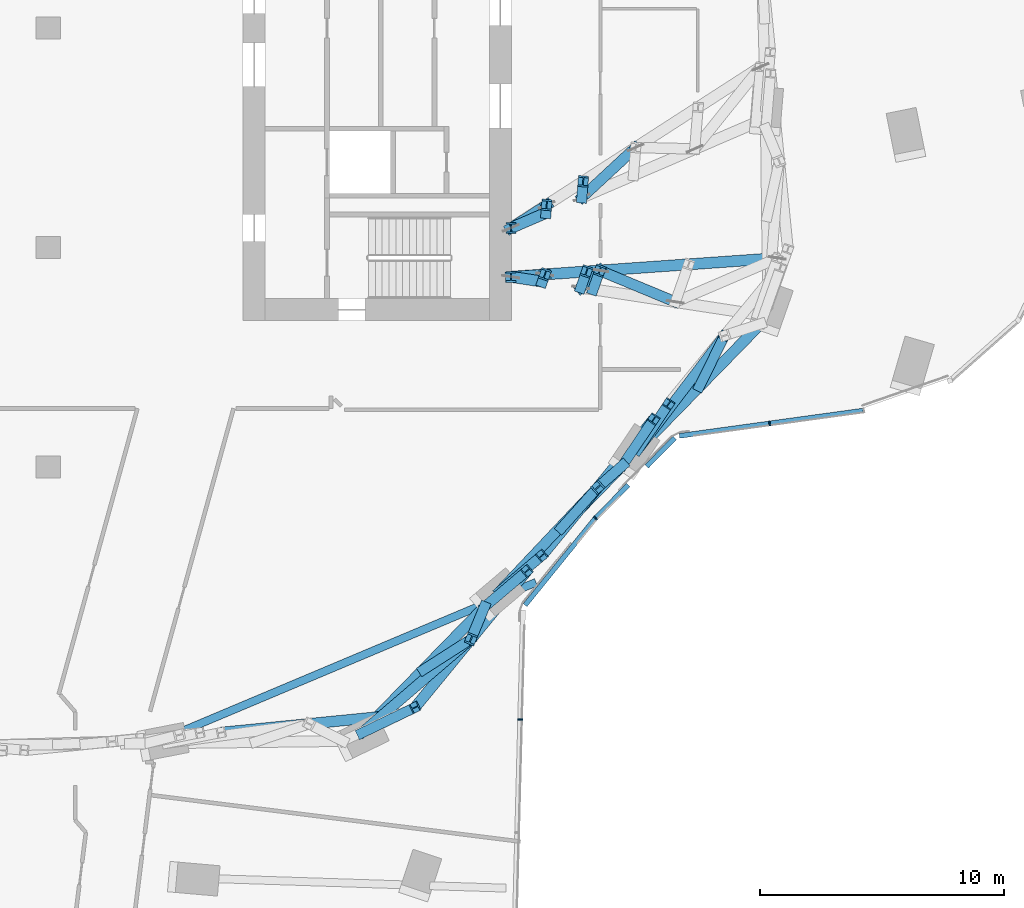
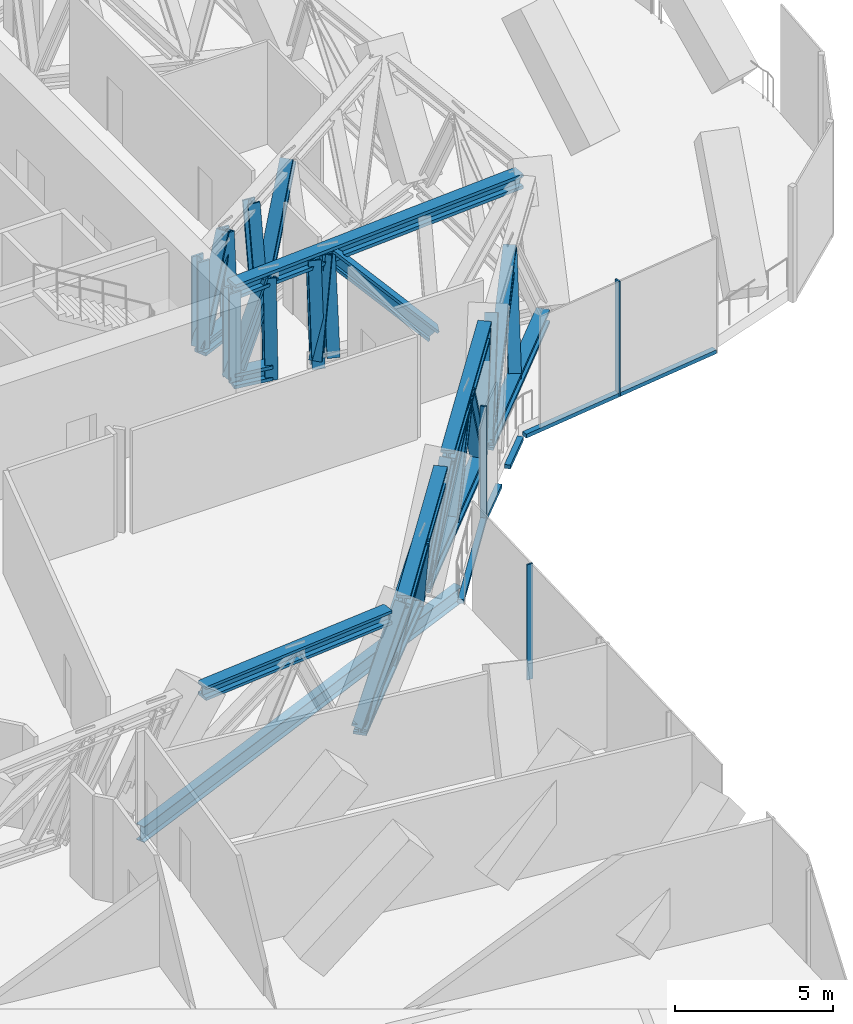
# One storey, part 7 of 27: 41 members, 1 beam, 4 elements without a shape of their own.
"""IFC4 building model written with IfcOpenShell, lengths in metres."""

from ifc_helpers import new_model, si_unit, direction, frame, origin, origin_2d, place, context, subcontext, project, spatial, rectangle, i_section, extrude, material, material_profile, profile_set, type_object, element, aggregate, save


model = new_model("IFC4")

# Units and contexts
model_context = context("Model", 3, precision=1e-05, world=origin(), true_north=direction((0.0, 1.0)))
body_context = subcontext(model_context, "Body", "Model", "MODEL_VIEW")
ifc_project = project(units=[si_unit("LENGTHUNIT", "METRE"), si_unit("AREAUNIT", "SQUARE_METRE"), si_unit("VOLUMEUNIT", "CUBIC_METRE"), si_unit("PLANEANGLEUNIT", "RADIAN"), si_unit("MASSUNIT", "GRAM", prefix="KILO")], contexts=[model_context])

# Site, building, storey
site_placement = place(None, origin())
site = spatial("IfcSite", under=ifc_project, at=site_placement, CompositionType="ELEMENT")
building_placement = place(site_placement, origin())
building = spatial("IfcBuilding", under=site, at=building_placement, Name="Orlundy Tower", CompositionType="ELEMENT")
storey_placement = place(building_placement, frame((0.0, 0.0, 206.10009765625)))
storey = spatial("IfcBuildingStorey", under=building, at=storey_placement, Name="L54", CompositionType="ELEMENT", Elevation=206.10009765625)

# Members
ifc_material_1 = material(Name="Steel ASTM A992 Gr 50", Category="steel")
ifc_material_profile_1 = material_profile(ifc_material_1, i_section(OverallWidth=0.4423828125, OverallDepth=0.531494140625, WebThickness=0.06591796875, FlangeThickness=0.105712890625, at=origin_2d()), Name="W14X605")
ifc_profile_set_1 = profile_set([ifc_material_profile_1], Name="Steel ASTM A992 Gr 50")
member_type_1 = type_object("IfcMemberType", Name="BELT TRUSS chord W14X605", PredefinedType="CHORD", material=ifc_profile_set_1)
for number, where, z_axis, x_axis, name in (
    (1, (7.099365234375, -28.89697265625, 3.715087890625), (0.995132202432, 0.098548970989, 0.0), (-0.098548970989, 0.995132202432, 0.0), "Belt truss top chord BT-07"),
    (2, (12.837890625, -28.927734375, 0.28466796875), (0.698422855379, 0.715685346422, 0.0), (-0.715685346422, 0.698422855379, 0.0), "Belt truss bottom chord BT-08"),
    (3, (15.04833984375, -27.864990234375, 3.715087890625), (0.63402878306, 0.773309447926, 0.0), (-0.773309447926, 0.63402878306, 0.0), "Belt truss top chord BT-08"),
    (4, (18.50634765625, -23.119140625, 0.28466796875), (0.698406002715, 0.71570179221, 0.0), (-0.71570179221, 0.698406002715, 0.0), "Belt truss bottom chord BT-09"),
):
    element("IfcMember", number, at=place(storey_placement, frame(where, z_axis=z_axis, x_axis=x_axis)), inside=storey, type_object=member_type_1, Name=name, PredefinedType="CHORD", context=body_context, shape_type="SweptSolid", body=[
        extrude(i_section(OverallWidth=0.4423828125, OverallDepth=0.531494140625, WebThickness=0.06591796875, FlangeThickness=0.105712890625, at=origin_2d()), origin(), (0.0, 0.0, 1.0), 7.2412109375),
    ])
member_1_placement = place(storey_placement, frame((20.25048828125, -21.639404296875, 3.715087890625), z_axis=(0.63402314738, 0.77331406853, 0.0), x_axis=(-0.77331406853, 0.63402314738, 0.0)))
element("IfcMember", 5, at=member_1_placement, inside=storey, type_object=member_type_1, Name="Belt truss top chord BT-09", PredefinedType="CHORD", context=body_context, shape_type="SweptSolid", body=[
    extrude(i_section(OverallWidth=0.4423828125, OverallDepth=0.531494140625, WebThickness=0.06591796875, FlangeThickness=0.105712890625, at=origin_2d()), origin(), (0.0, 0.0, 1.0), 7.242431640625),
])
member_2_placement = place(storey_placement, frame((24.1748046875, -17.310302734375, 0.28466796875), z_axis=(0.698405585349, 0.715702199489, 0.0), x_axis=(-0.715702199489, 0.698405585349, 0.0)))
element("IfcMember", 6, at=member_2_placement, inside=storey, type_object=member_type_1, Name="Belt truss bottom chord BT-10", PredefinedType="CHORD", context=body_context, shape_type="SweptSolid", body=[
    extrude(i_section(OverallWidth=0.4423828125, OverallDepth=0.531494140625, WebThickness=0.06591796875, FlangeThickness=0.105712890625, at=origin_2d()), origin(), (0.0, 0.0, 1.0), 7.240966796875),
])
ifc_material_2 = material(Name="Steel ASTM A992 Gr 50", Category="steel")
ifc_material_profile_2 = material_profile(ifc_material_2, i_section(OverallWidth=0.42431640625, OverallDepth=0.47412109375, WebThickness=0.0478515625, FlangeThickness=0.0771484375, at=origin_2d()), Name="W14X426")
ifc_profile_set_2 = profile_set([ifc_material_profile_2], Name="Steel ASTM A992 Gr 50")
member_type_2 = type_object("IfcMemberType", Name="BELT TRUSS diagonal W14X426", PredefinedType="BRACE", material=ifc_profile_set_2)
member_3_placement = place(storey_placement, frame((12.837890625, -28.927734375, 0.28466796875), z_axis=(0.65731823855, 0.563471600135, 0.500432302225), x_axis=(-0.650828637964, 0.759224659772, 0.0)))
element("IfcMember", 7, at=member_3_placement, inside=storey, type_object=member_type_2, Name="Belt truss diagonal BT-08-0", PredefinedType="BRACE", context=body_context, shape_type="SweptSolid", body=[
    extrude(i_section(OverallWidth=0.42431640625, OverallDepth=0.47412109375, WebThickness=0.0478515625, FlangeThickness=0.0771484375, at=origin_2d()), origin(), (0.0, 0.0, 1.0), 6.85498046875),
])
member_4_placement = place(storey_placement, frame((17.34375, -25.065185546875, 3.715087890625), z_axis=(0.148387862309, 0.355106145925, -0.922973817313), x_axis=(-0.922682567902, 0.385560473713, 0.0)))
element("IfcMember", 8, at=member_4_placement, inside=storey, type_object=member_type_2, Name="Belt truss diagonal BT-08-1", PredefinedType="BRACE", context=body_context, shape_type="SweptSolid", body=[
    extrude(i_section(OverallWidth=0.42431640625, OverallDepth=0.47412109375, WebThickness=0.0478515625, FlangeThickness=0.0771484375, at=origin_2d()), origin(), (0.0, 0.0, 1.0), 3.716796875),
])
member_5_placement = place(storey_placement, frame((18.50634765625, -23.119140625, 0.28466796875), z_axis=(0.593044815009, 0.628273425908, 0.503557692512), x_axis=(-0.727200635085, 0.686424967736, 0.0)))
element("IfcMember", 9, at=member_5_placement, inside=storey, type_object=member_type_2, Name="Belt truss diagonal BT-09-0", PredefinedType="BRACE", context=body_context, shape_type="SweptSolid", body=[
    extrude(i_section(OverallWidth=0.42431640625, OverallDepth=0.47412109375, WebThickness=0.0478515625, FlangeThickness=0.0771484375, at=origin_2d()), origin(), (0.0, 0.0, 1.0), 6.812255859375),
])
member_6_placement = place(storey_placement, frame((22.54638671875, -18.839111328125, 3.715087890625), z_axis=(0.275686962938, 0.244591961118, -0.929608235238), x_axis=(-0.663661585946, 0.748032953378, 0.0)))
element("IfcMember", 10, at=member_6_placement, inside=storey, type_object=member_type_2, Name="Belt truss diagonal BT-09-1", PredefinedType="BRACE", context=body_context, shape_type="SweptSolid", body=[
    extrude(i_section(OverallWidth=0.42431640625, OverallDepth=0.47412109375, WebThickness=0.0478515625, FlangeThickness=0.0771484375, at=origin_2d()), origin(), (0.0, 0.0, 1.0), 3.690185546875),
])
member_7_placement = place(storey_placement, frame((24.1748046875, -17.310302734375, 0.28466796875), z_axis=(0.523507310878, 0.688080071631, 0.502479761265), x_axis=(-0.795846459264, 0.605498483299, 0.0)))
element("IfcMember", 11, at=member_7_placement, inside=storey, type_object=member_type_2, Name="Belt truss diagonal BT-10-0", PredefinedType="BRACE", context=body_context, shape_type="SweptSolid", body=[
    extrude(i_section(OverallWidth=0.42431640625, OverallDepth=0.47412109375, WebThickness=0.0478515625, FlangeThickness=0.0771484375, at=origin_2d()), origin(), (0.0, 0.0, 1.0), 6.826904296875),
])
ifc_material_3 = material(Name="Steel ASTM A992 Gr 50", Category="steel")
ifc_material_profile_3 = material_profile(ifc_material_3, i_section(OverallWidth=0.412109375, OverallDepth=0.434814453125, WebThickness=0.035888671875, FlangeThickness=0.057373046875, at=origin_2d()), Name="W14X311")
ifc_profile_set_3 = profile_set([ifc_material_profile_3], Name="Steel ASTM A992 Gr 50")
member_type_3 = type_object("IfcMemberType", Name="BELT TRUSS post W14X311", PredefinedType="POST", material=ifc_profile_set_3)
member_8_placement = place(storey_placement, frame((12.837890625, -28.927734375, 0.28466796875), z_axis=(0.52417278187, 0.252012825213, 0.813469379064), x_axis=(-0.433303764049, 0.901247939283, 0.0)))
element("IfcMember", 12, at=member_8_placement, inside=storey, type_object=member_type_3, Name="Belt truss post BT-08-0", PredefinedType="POST", context=body_context, shape_type="SweptSolid", body=[
    extrude(i_section(OverallWidth=0.412109375, OverallDepth=0.434814453125, WebThickness=0.035888671875, FlangeThickness=0.057373046875, at=origin_2d()), origin(), (0.0, 0.0, 1.0), 4.217041015625),
])
member_9_placement = place(storey_placement, frame((15.36669921875, -26.33642578125, 0.28466796875), z_axis=(0.47543171496, 0.305701770782, 0.824930973931), x_axis=(-0.540841583098, 0.841124474731, 0.0)))
element("IfcMember", 13, at=member_9_placement, inside=storey, type_object=member_type_3, Name="Belt truss post BT-08-1", PredefinedType="POST", context=body_context, shape_type="SweptSolid", body=[
    extrude(i_section(OverallWidth=0.412109375, OverallDepth=0.434814453125, WebThickness=0.035888671875, FlangeThickness=0.057373046875, at=origin_2d()), origin(), (0.0, 0.0, 1.0), 4.158447265625),
])
for number, where, z_axis, x_axis, name in (
    (14, (17.895263671875, -23.745361328125, 0.28466796875), (0.423014376023, 0.358946409218, 0.831995380389), (-0.647003774428, 0.762486797181, 0.0), "Belt truss post BT-08-2"),
    (15, (18.50634765625, -23.119140625, 0.28466796875), (0.42302336637, 0.358894824127, 0.83201306283), (-0.646941716035, 0.762539452129, 0.0), "Belt truss post BT-09-0"),
):
    element("IfcMember", number, at=place(storey_placement, frame(where, z_axis=z_axis, x_axis=x_axis)), inside=storey, type_object=member_type_3, Name=name, PredefinedType="POST", context=body_context, shape_type="SweptSolid", body=[
        extrude(i_section(OverallWidth=0.412109375, OverallDepth=0.434814453125, WebThickness=0.035888671875, FlangeThickness=0.057373046875, at=origin_2d()), origin(), (0.0, 0.0, 1.0), 4.123046875),
    ])
member_10_placement = place(storey_placement, frame((21.034912109375, -20.52783203125, 0.28466796875), z_axis=(0.367624672192, 0.410734914804, 0.834355397991), x_axis=(-0.745128606747, 0.666920804449, 0.0)))
element("IfcMember", 16, at=member_10_placement, inside=storey, type_object=member_type_3, Name="Belt truss post BT-09-1", PredefinedType="POST", context=body_context, shape_type="SweptSolid", body=[
    extrude(i_section(OverallWidth=0.412109375, OverallDepth=0.434814453125, WebThickness=0.035888671875, FlangeThickness=0.057373046875, at=origin_2d()), origin(), (0.0, 0.0, 1.0), 4.111572265625),
])
for number, where, z_axis, x_axis, name in (
    (17, (23.563720703125, -17.9365234375, 0.28466796875), (0.310062845352, 0.460209756906, 0.831906251678), (-0.829331991672, 0.55875616112, 0.0), "Belt truss post BT-09-2"),
    (18, (24.1748046875, -17.310302734375, 0.28466796875), (0.310062845352, 0.460209756906, 0.831906251678), (-0.829331991672, 0.55875616112, 0.0), "Belt truss post BT-10-0"),
):
    element("IfcMember", number, at=place(storey_placement, frame(where, z_axis=z_axis, x_axis=x_axis)), inside=storey, type_object=member_type_3, Name=name, PredefinedType="POST", context=body_context, shape_type="SweptSolid", body=[
        extrude(i_section(OverallWidth=0.412109375, OverallDepth=0.434814453125, WebThickness=0.035888671875, FlangeThickness=0.057373046875, at=origin_2d()), origin(), (0.0, 0.0, 1.0), 4.12353515625),
    ])
member_11_placement = place(storey_placement, frame((26.703369140625, -14.71923828125, 0.28466796875), z_axis=(0.251357351698, 0.50647156246, 0.824806667145), x_axis=(-0.895752128099, 0.444553849388, 0.0)))
element("IfcMember", 19, at=member_11_placement, inside=storey, type_object=member_type_3, Name="Belt truss post BT-10-1", PredefinedType="POST", context=body_context, shape_type="SweptSolid", body=[
    extrude(i_section(OverallWidth=0.412109375, OverallDepth=0.434814453125, WebThickness=0.035888671875, FlangeThickness=0.057373046875, at=origin_2d()), origin(), (0.0, 0.0, 1.0), 4.1591796875),
])

# Beam
ifc_material_4 = material(Name="Steel ASTM A992 Gr 50", Category="steel")
ifc_material_profile_4 = material_profile(ifc_material_4, i_section(OverallWidth=0.32373046875, OverallDepth=0.611083984375, WebThickness=0.0126953125, FlangeThickness=0.01904296875, at=origin_2d()), Name="W24X104")
ifc_profile_set_4 = profile_set([ifc_material_profile_4], Name="Steel ASTM A992 Gr 50")
beam_type = type_object("IfcBeamType", Name="CANTILEVER GIRDER beam W24X104", PredefinedType="BEAM", material=ifc_profile_set_4)
beam_placement = place(storey_placement, frame((20.01220703125, -22.7314453125, -0.755615234375), z_axis=(-0.921648904078, -0.388024867259, 0.0), x_axis=(0.388024867259, -0.921648904078, 0.0)))
element("IfcBeam", 20, at=beam_placement, inside=storey, type_object=beam_type, Name="Cantilever girder C-H09 L54", PredefinedType="BEAM", context=body_context, shape_type="SweptSolid", body=[
    extrude(i_section(OverallWidth=0.32373046875, OverallDepth=0.611083984375, WebThickness=0.0126953125, FlangeThickness=0.01904296875, at=origin_2d()), origin(), (0.0, 0.0, 1.0), 16.643798828125),
])

# Curtain wall, member
ifc_material_5 = material(Name="Aluminium bronze anodised", Category="aluminium")
curtain_wall_type = type_object("IfcCurtainWallType", Name="CW4 wall", PredefinedType="NOTDEFINED", material=ifc_material_5)
curtain_wall_1_placement = place(storey_placement, origin())
curtain_wall_1 = element("IfcCurtainWall", 21, at=curtain_wall_1_placement, inside=storey, type_object=curtain_wall_type, Name="CW4 run 029", PredefinedType="NOTDEFINED")
ifc_material_6 = material(Name="Aluminium bronze anodised", Category="aluminium")
ifc_material_profile_5 = material_profile(ifc_material_6, rectangle(XDim=0.199951171875, YDim=0.06005859375, at=origin_2d()), Name="CW4 mullion 60x200")
ifc_profile_set_5 = profile_set([ifc_material_profile_5], Name="Aluminium bronze anodised")
member_type_4 = type_object("IfcMemberType", Name="CW4 mullion 60x200", PredefinedType="MULLION", material=ifc_profile_set_5)
member_12_placement = place(storey_placement, frame((29.5947265625, -16.217529296875, -0.4501953125), z_axis=(0.0, 0.0, 1.0), x_axis=(0.13629398476, -0.990668435814, 0.0)))
member_12 = element("IfcMember", 22, at=member_12_placement, type_object=member_type_4, Name="CW4 mullion 42", PredefinedType="MULLION", context=body_context, shape_type="SweptSolid", body=[
    extrude(rectangle(XDim=0.199951171875, YDim=0.06005859375, at=origin_2d()), origin(), (0.0, 0.0, 1.0), 4.4501953125),
])

curtain_wall_2_placement = place(storey_placement, origin())
curtain_wall_2 = element("IfcCurtainWall", 23, at=curtain_wall_2_placement, inside=storey, type_object=curtain_wall_type, Name="CW4 run 031", PredefinedType="NOTDEFINED")
member_13_placement = place(storey_placement, frame((22.45263671875, -20.101806640625, -0.4501953125), z_axis=(0.0, 0.0, 1.0), x_axis=(0.745077526729, -0.666977870071, 0.0)))
member_13 = element("IfcMember", 24, at=member_13_placement, type_object=member_type_4, Name="CW4 mullion 44", PredefinedType="MULLION", context=body_context, shape_type="SweptSolid", body=[
    extrude(rectangle(XDim=0.199951171875, YDim=0.06005859375, at=origin_2d()), origin(), (0.0, 0.0, 1.0), 4.4501953125),
])

curtain_wall_3_placement = place(storey_placement, origin())
curtain_wall_3 = element("IfcCurtainWall", 25, at=curtain_wall_3_placement, inside=storey, type_object=curtain_wall_type, Name="CW4 run 032", PredefinedType="NOTDEFINED")
member_14_placement = place(storey_placement, frame((19.36376953125, -28.36279296875, -0.4501953125), z_axis=(0.0, 0.0, 1.0), x_axis=(0.999657620616, -0.026165655813, 0.0)))
member_14 = element("IfcMember", 26, at=member_14_placement, type_object=member_type_4, Name="CW4 mullion 46", PredefinedType="MULLION", context=body_context, shape_type="SweptSolid", body=[
    extrude(rectangle(XDim=0.199951171875, YDim=0.06005859375, at=origin_2d()), origin(), (0.0, 0.0, 1.0), 4.4501953125),
])
aggregate(curtain_wall_3, [member_14])

# Member
ifc_material_7 = material(Name="Aluminium bronze anodised", Category="aluminium")
ifc_material_profile_6 = material_profile(ifc_material_7, rectangle(XDim=0.199951171875, YDim=0.14990234375, at=origin_2d()), Name="CW4 transom 200x150")
ifc_profile_set_6 = profile_set([ifc_material_profile_6], Name="Aluminium bronze anodised")
member_type_5 = type_object("IfcMemberType", Name="CW4 transom 200x150", PredefinedType="USERDEFINED", material=ifc_profile_set_6)
member_15_placement = place(storey_placement, frame((33.430419921875, -15.68994140625, -0.375), z_axis=(-0.990668872013, -0.136290814159, 0.0), x_axis=(0.136290814159, -0.990668872013, 0.0)))
member_15 = element("IfcMember", 27, at=member_15_placement, type_object=member_type_5, Name="CW4 transom", ObjectType="TRANSOM", PredefinedType="USERDEFINED", context=body_context, shape_type="SweptSolid", body=[
    extrude(rectangle(XDim=0.199951171875, YDim=0.14990234375, at=origin_2d()), origin(), (0.0, 0.0, 1.0), 7.604248046875),
])

aggregate(curtain_wall_1, [member_12, member_15])

# Curtain wall, members
curtain_wall_4_placement = place(storey_placement, origin())
curtain_wall_4 = element("IfcCurtainWall", 28, at=curtain_wall_4_placement, inside=storey, type_object=curtain_wall_type, Name="CW4 run 030", PredefinedType="NOTDEFINED")
member_16_placement = place(storey_placement, frame((25.701904296875, -16.814453125, -0.375), z_axis=(-0.702985125024, -0.711204551444, 0.0), x_axis=(0.711204551444, -0.702985125024, 0.0)))
member_16 = element("IfcMember", 29, at=member_16_placement, type_object=member_type_5, Name="CW4 transom", ObjectType="TRANSOM", PredefinedType="USERDEFINED", context=body_context, shape_type="SweptSolid", body=[
    extrude(rectangle(XDim=0.199951171875, YDim=0.14990234375, at=origin_2d()), origin(), (0.0, 0.0, 1.0), 1.633544921875),
])
member_17_placement = place(storey_placement, frame((23.796142578125, -18.742431640625, -0.375), z_axis=(-0.703006959787, -0.711182968364, 0.0), x_axis=(0.711182968364, -0.703006959787, 0.0)))
member_17 = element("IfcMember", 30, at=member_17_placement, type_object=member_type_5, Name="CW4 transom", ObjectType="TRANSOM", PredefinedType="USERDEFINED", context=body_context, shape_type="SweptSolid", body=[
    extrude(rectangle(XDim=0.199951171875, YDim=0.14990234375, at=origin_2d()), origin(), (0.0, 0.0, 1.0), 1.881103515625),
])
aggregate(curtain_wall_4, [member_16, member_17])

# Member
member_18_placement = place(storey_placement, frame((22.43359375, -20.125244140625, -0.375), z_axis=(-0.629306017161, -0.777157600982, 0.0), x_axis=(0.777157600982, -0.629306017161, 0.0)))
member_18 = element("IfcMember", 31, at=member_18_placement, type_object=member_type_5, Name="CW4 transom", ObjectType="TRANSOM", PredefinedType="USERDEFINED", context=body_context, shape_type="SweptSolid", body=[
    extrude(rectangle(XDim=0.199951171875, YDim=0.14990234375, at=origin_2d()), origin(), (0.0, 0.0, 1.0), 4.560791015625),
])

aggregate(curtain_wall_2, [member_13, member_18])

# Members
ifc_material_8 = material(Name="Steel ASTM A992 Gr 50", Category="steel")
ifc_material_profile_7 = material_profile(ifc_material_8, i_section(OverallWidth=0.454345703125, OverallDepth=0.569580078125, WebThickness=0.077880859375, FlangeThickness=0.124755859375, at=origin_2d()), Name="W14X730")
ifc_profile_set_7 = profile_set([ifc_material_profile_7], Name="Steel ASTM A992 Gr 50")
member_type_6 = type_object("IfcMemberType", Name="OUTRIGGER TRUSS chord W14X730", PredefinedType="CHORD", material=ifc_profile_set_7)
member_19_placement = place(storey_placement, frame((18.97998046875, -10.199951171875, 0.28466796875), z_axis=(0.988494276267, -0.151258275104, 0.0), x_axis=(0.151258275104, 0.988494276267, 0.0)))
element("IfcMember", 32, at=member_19_placement, inside=storey, type_object=member_type_6, Name="Outrigger truss bottom chord OR-E-C-H07", PredefinedType="CHORD", context=body_context, shape_type="SweptSolid", body=[
    extrude(i_section(OverallWidth=0.454345703125, OverallDepth=0.569580078125, WebThickness=0.077880859375, FlangeThickness=0.124755859375, at=origin_2d()), origin(), (0.0, 0.0, 1.0), 1.30908203125),
])
member_20_placement = place(storey_placement, frame((18.97998046875, -10.199951171875, 3.715087890625), z_axis=(0.997555863996, 0.069873444224, 0.0), x_axis=(-0.069873444224, 0.997555863996, 0.0)))
element("IfcMember", 33, at=member_20_placement, inside=storey, type_object=member_type_6, Name="Outrigger truss top chord OR-E-C-H07", PredefinedType="CHORD", context=body_context, shape_type="SweptSolid", body=[
    extrude(i_section(OverallWidth=0.454345703125, OverallDepth=0.569580078125, WebThickness=0.077880859375, FlangeThickness=0.124755859375, at=origin_2d()), origin(), (0.0, 0.0, 1.0), 10.96435546875),
])
member_21_placement = place(storey_placement, frame((18.97998046875, -8.199951171875, 0.28466796875), z_axis=(0.918556850679, 0.395288896974, 0.0), x_axis=(-0.395288896974, 0.918556850679, 0.0)))
element("IfcMember", 34, at=member_21_placement, inside=storey, type_object=member_type_6, Name="Outrigger truss bottom chord OR-E-C-H06", PredefinedType="CHORD", context=body_context, shape_type="SweptSolid", body=[
    extrude(i_section(OverallWidth=0.454345703125, OverallDepth=0.569580078125, WebThickness=0.077880859375, FlangeThickness=0.124755859375, at=origin_2d()), origin(), (0.0, 0.0, 1.0), 1.570068359375),
])
ifc_material_9 = material(Name="Steel ASTM A992 Gr 50", Category="steel")
ifc_material_profile_8 = material_profile(ifc_material_9, i_section(OverallWidth=0.43212890625, OverallDepth=0.497802734375, WebThickness=0.0556640625, FlangeThickness=0.0888671875, at=origin_2d()), Name="W14X500")
ifc_profile_set_8 = profile_set([ifc_material_profile_8], Name="Steel ASTM A992 Gr 50")
member_type_7 = type_object("IfcMemberType", Name="OUTRIGGER TRUSS diagonal W14X500", PredefinedType="BRACE", material=ifc_profile_set_8)
member_22_placement = place(storey_placement, frame((18.97998046875, -10.199951171875, 0.28466796875), z_axis=(0.37719448325, 0.026420085202, 0.925757150069), x_axis=(-0.069872476618, 0.997555931771, 0.0)))
element("IfcMember", 35, at=member_22_placement, inside=storey, type_object=member_type_7, Name="Outrigger truss diagonal OR-E-C-H07-0", PredefinedType="BRACE", context=body_context, shape_type="SweptSolid", body=[
    extrude(i_section(OverallWidth=0.43212890625, OverallDepth=0.497802734375, WebThickness=0.0556640625, FlangeThickness=0.0888671875, at=origin_2d()), origin(), (0.0, 0.0, 1.0), 3.70556640625),
])
member_23_placement = place(storey_placement, frame((21.855712890625, -10.639892578125, 0.28466796875), z_axis=(0.21485660639, 0.19401129201, 0.957181412932), x_axis=(-0.670185921379, 0.742193257033, 0.0)))
element("IfcMember", 36, at=member_23_placement, inside=storey, type_object=member_type_7, Name="Outrigger truss diagonal OR-E-C-H07-2", PredefinedType="BRACE", context=body_context, shape_type="SweptSolid", body=[
    extrude(i_section(OverallWidth=0.43212890625, OverallDepth=0.497802734375, WebThickness=0.0556640625, FlangeThickness=0.0888671875, at=origin_2d()), origin(), (0.0, 0.0, 1.0), 3.583984375),
])
member_24_placement = place(storey_placement, frame((22.625732421875, -9.944580078125, 3.715087890625), z_axis=(0.646400365526, -0.268168456795, -0.714319428707), x_axis=(0.383196440625, 0.923666870626, 0.0)))
element("IfcMember", 37, at=member_24_placement, inside=storey, type_object=member_type_7, Name="Outrigger truss diagonal OR-E-C-H07-3", PredefinedType="BRACE", context=body_context, shape_type="SweptSolid", body=[
    extrude(i_section(OverallWidth=0.43212890625, OverallDepth=0.497802734375, WebThickness=0.0556640625, FlangeThickness=0.0888671875, at=origin_2d()), origin(), (0.0, 0.0, 1.0), 4.80224609375),
])
member_25_placement = place(storey_placement, frame((18.97998046875, -8.199951171875, 0.28466796875), z_axis=(0.381544057384, 0.246098136398, 0.890988125362), x_axis=(-0.54203461261, 0.840356161834, 0.0)))
element("IfcMember", 38, at=member_25_placement, inside=storey, type_object=member_type_7, Name="Outrigger truss diagonal OR-E-C-H06-0", PredefinedType="BRACE", context=body_context, shape_type="SweptSolid", body=[
    extrude(i_section(OverallWidth=0.43212890625, OverallDepth=0.497802734375, WebThickness=0.0556640625, FlangeThickness=0.0888671875, at=origin_2d()), origin(), (0.0, 0.0, 1.0), 3.85009765625),
])
member_26_placement = place(storey_placement, frame((21.891845703125, -6.94677734375, 0.28466796875), z_axis=(0.483898625131, 0.449044238964, 0.751133404962), x_axis=(-0.680215007713, 0.733012648787, 0.0)))
element("IfcMember", 39, at=member_26_placement, inside=storey, type_object=member_type_7, Name="Outrigger truss diagonal OR-E-C-H06-2", PredefinedType="BRACE", context=body_context, shape_type="SweptSolid", body=[
    extrude(i_section(OverallWidth=0.43212890625, OverallDepth=0.497802734375, WebThickness=0.0556640625, FlangeThickness=0.0888671875, at=origin_2d()), origin(), (0.0, 0.0, 1.0), 4.56689453125),
])
ifc_material_10 = material(Name="Steel ASTM A992 Gr 50", Category="steel")
ifc_material_profile_9 = material_profile(ifc_material_10, i_section(OverallWidth=0.41845703125, OverallDepth=0.455078125, WebThickness=0.0419921875, FlangeThickness=0.067626953125, at=origin_2d()), Name="W14X370")
ifc_profile_set_9 = profile_set([ifc_material_profile_9], Name="Steel ASTM A992 Gr 50")
member_type_8 = type_object("IfcMemberType", Name="OUTRIGGER TRUSS post W14X370", PredefinedType="POST", material=ifc_profile_set_9)
member_27_placement = place(storey_placement, frame((18.97998046875, -10.199951171875, 0.28466796875), z_axis=(0.0, 0.0, 1.0), x_axis=(1.0, 0.0, 0.0)))
element("IfcMember", 40, at=member_27_placement, inside=storey, type_object=member_type_8, Name="Outrigger truss post OR-E-C-H07-0", PredefinedType="POST", context=body_context, shape_type="SweptSolid", body=[
    extrude(i_section(OverallWidth=0.41845703125, OverallDepth=0.455078125, WebThickness=0.0419921875, FlangeThickness=0.067626953125, at=origin_2d()), origin(), (0.0, 0.0, 1.0), 3.430419921875),
])
member_28_placement = place(storey_placement, frame((20.27392578125, -10.39794921875, 0.0), z_axis=(0.027830336496, 0.079365571372, 0.996457012847), x_axis=(-0.943663976608, 0.330905272325, 0.0)))
element("IfcMember", 41, at=member_28_placement, inside=storey, type_object=member_type_8, Name="Outrigger truss post OR-E-C-H07-1", PredefinedType="POST", context=body_context, shape_type="SweptSolid", body=[
    extrude(i_section(OverallWidth=0.41845703125, OverallDepth=0.455078125, WebThickness=0.0419921875, FlangeThickness=0.067626953125, at=origin_2d()), origin(), (0.0, 0.0, 1.0), 3.728271484375),
])
member_29_placement = place(storey_placement, frame((21.855712890625, -10.639892578125, 0.0), z_axis=(0.060972997772, 0.173940977753, 0.982866638869), x_axis=(-0.943699814246, 0.330803054084, 0.0)))
element("IfcMember", 42, at=member_29_placement, inside=storey, type_object=member_type_8, Name="Outrigger truss post OR-E-C-H07-2", PredefinedType="POST", context=body_context, shape_type="SweptSolid", body=[
    extrude(i_section(OverallWidth=0.41845703125, OverallDepth=0.455078125, WebThickness=0.0419921875, FlangeThickness=0.067626953125, at=origin_2d()), origin(), (0.0, 0.0, 1.0), 3.77978515625),
])
member_30_placement = place(storey_placement, frame((22.35498046875, -10.71630859375, 0.28466796875), z_axis=(0.076775004537, 0.218832993093, 0.972737230609), x_axis=(-0.943611434664, 0.33105507151, 0.0)))
element("IfcMember", 43, at=member_30_placement, inside=storey, type_object=member_type_8, Name="Outrigger truss post OR-E-C-H07-3", PredefinedType="POST", context=body_context, shape_type="SweptSolid", body=[
    extrude(i_section(OverallWidth=0.41845703125, OverallDepth=0.455078125, WebThickness=0.0419921875, FlangeThickness=0.067626953125, at=origin_2d()), origin(), (0.0, 0.0, 1.0), 3.526611328125),
])
member_31_placement = place(storey_placement, frame((18.97998046875, -8.199951171875, 0.28466796875), z_axis=(0.0, 0.0, 1.0), x_axis=(1.0, 0.0, 0.0)))
element("IfcMember", 44, at=member_31_placement, inside=storey, type_object=member_type_8, Name="Outrigger truss post OR-E-C-H06-0", PredefinedType="POST", context=body_context, shape_type="SweptSolid", body=[
    extrude(i_section(OverallWidth=0.41845703125, OverallDepth=0.455078125, WebThickness=0.0419921875, FlangeThickness=0.067626953125, at=origin_2d()), origin(), (0.0, 0.0, 1.0), 3.430419921875),
])
member_32_placement = place(storey_placement, frame((20.422119140625, -7.579345703125, 0.0), z_axis=(0.007200746363, 0.087652721632, 0.996125067269), x_axis=(-0.996642602382, 0.081875045752, 0.0)))
element("IfcMember", 45, at=member_32_placement, inside=storey, type_object=member_type_8, Name="Outrigger truss post OR-E-C-H06-1", PredefinedType="POST", context=body_context, shape_type="SweptSolid", body=[
    extrude(i_section(OverallWidth=0.41845703125, OverallDepth=0.455078125, WebThickness=0.0419921875, FlangeThickness=0.067626953125, at=origin_2d()), origin(), (0.0, 0.0, 1.0), 3.7294921875),
])
member_33_placement = place(storey_placement, frame((21.891845703125, -6.94677734375, 0.0), z_axis=(0.014297768172, 0.174937398815, 0.984475738818), x_axis=(-0.996676681068, 0.081459151818, 0.0)))
element("IfcMember", 46, at=member_33_placement, inside=storey, type_object=member_type_8, Name="Outrigger truss post OR-E-C-H06-2", PredefinedType="POST", context=body_context, shape_type="SweptSolid", body=[
    extrude(i_section(OverallWidth=0.41845703125, OverallDepth=0.455078125, WebThickness=0.0419921875, FlangeThickness=0.067626953125, at=origin_2d()), origin(), (0.0, 0.0, 1.0), 3.773681640625),
])

save(model, "model.ifc")
